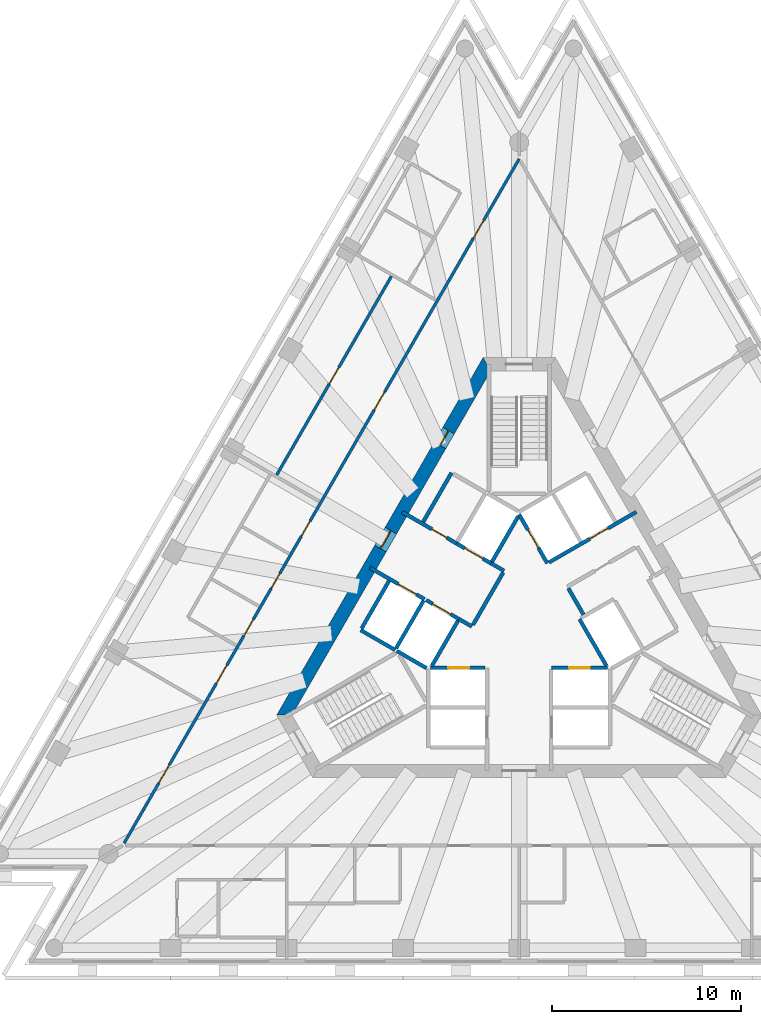
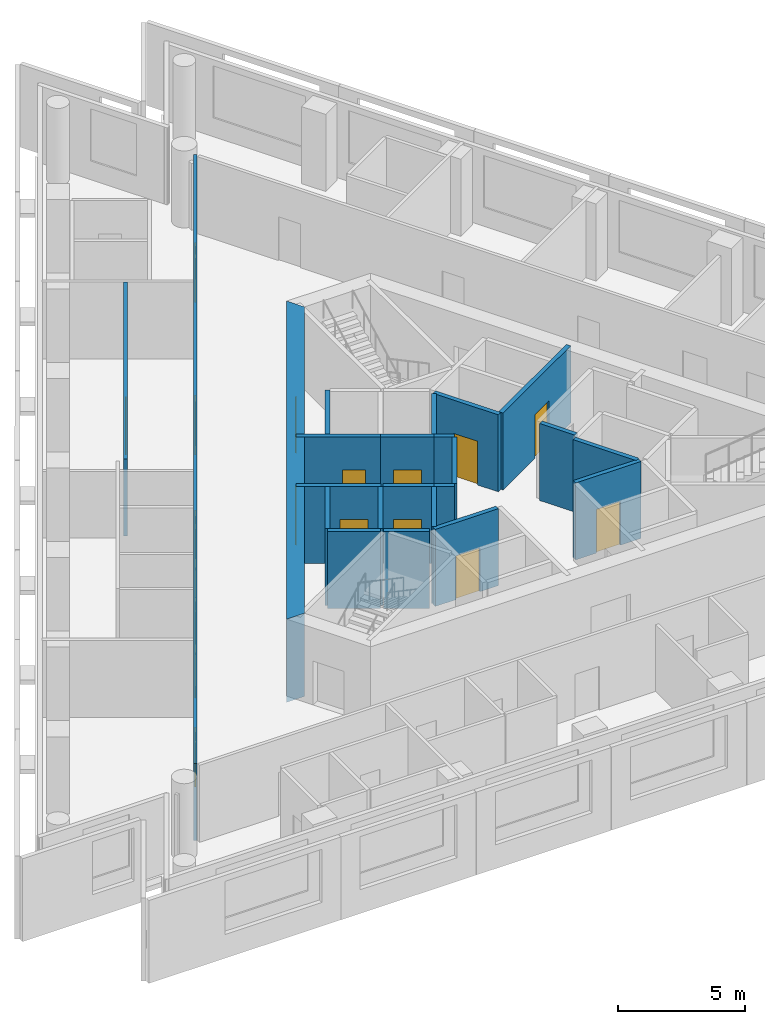
# One storey, part 4 of 9: 23 walls, 18 doors, 18 openings.
"""IFC4 building model written with IfcOpenShell, lengths in metres."""

from ifc_helpers import new_model, si_unit, direction, frame, frame_2d, origin, place, context, subcontext, project, spatial, polyline, rectangle, outline, extrude, material, layer, layer_set, type_object, element, fill, save


model = new_model("IFC4")

# Units and contexts
model_context = context("Model", 3, precision=1e-05, world=origin(), true_north=direction((0.0, 1.0)))
body_context = subcontext(model_context, "Body", "Model", "MODEL_VIEW")
ifc_project = project(units=[si_unit("LENGTHUNIT", "METRE"), si_unit("AREAUNIT", "SQUARE_METRE"), si_unit("VOLUMEUNIT", "CUBIC_METRE"), si_unit("PLANEANGLEUNIT", "RADIAN"), si_unit("MASSUNIT", "GRAM", prefix="KILO")], contexts=[model_context])

# Site, building, storey
site_placement = place(None, origin())
site = spatial("IfcSite", under=ifc_project, at=site_placement, CompositionType="ELEMENT")
building_placement = place(site_placement, origin())
building = spatial("IfcBuilding", under=site, at=building_placement, Name="Triada Interchange Tower", CompositionType="ELEMENT")
storey_placement = place(building_placement, frame((0.0, 0.0, 207.300048828125)))
storey = spatial("IfcBuildingStorey", under=building, at=storey_placement, Name="L48", CompositionType="ELEMENT", Elevation=207.300048828125)

# Walls
ifc_material_1 = material(Name="Concrete C30/37", Category="concrete")
ifc_layer_1 = layer(ifc_material_1, 0.199951171875)
ifc_layer_set_1 = layer_set([ifc_layer_1], Name="CORE WALL 200 EI 120")
wall_type_1 = type_object("IfcWallType", Name="CORE WALL 200 EI 120", PredefinedType="SOLIDWALL", material=ifc_layer_set_1)
wall_1_placement = place(storey_placement, frame((-8.3759765625, -0.70703125, 0.0), z_axis=(0.0, 0.0, 1.0), x_axis=(0.866067520717, -0.499927044236, 0.0)))
element("IfcWall", 1, at=wall_1_placement, inside=storey, type_object=wall_type_1, Name="Wall L47 53", PredefinedType="SOLIDWALL", context=body_context, shape_type="SweptSolid", body=[
    extrude(rectangle(XDim=2.100341796875, YDim=0.199951171875, at=frame_2d((1.05029296875, 0.0))), origin(), (0.0, 0.0, 1.0), 3.699951171875),
])
wall_2_placement = place(storey_placement, frame((-8.325927734375, -0.6201171875, 0.0), z_axis=(0.0, 0.0, 1.0), x_axis=(0.500023687443, 0.866011727401, 0.0)))
element("IfcWall", 2, at=wall_2_placement, inside=storey, type_object=wall_type_1, Name="Wall L47 54", PredefinedType="SOLIDWALL", context=body_context, shape_type="SweptSolid", body=[
    extrude(rectangle(XDim=2.899658203125, YDim=0.199951171875, at=frame_2d((1.44970703125, 0.0))), origin(), (0.0, 0.0, 1.0), 3.699951171875),
])

# Wall, opening, door
wall_3_placement = place(storey_placement, frame((-4.676025390625, -2.699951171875, 0.0), z_axis=(0.0, 0.0, 1.0), x_axis=(1.0, 0.0, 0.0)))
wall_3 = element("IfcWall", 3, at=wall_3_placement, inside=storey, type_object=wall_type_1, Name="Wall L47 61", PredefinedType="SOLIDWALL", context=body_context, shape_type="SweptSolid", body=[
    extrude(rectangle(XDim=2.873046875, YDim=0.199951171875, at=frame_2d((1.4365234375, 0.0))), origin(), (0.0, 0.0, 1.0), 3.699951171875),
])
opening_1_placement = place(wall_3_placement, frame((0.93701171875, 0.0, 0.0)))
opening_1 = element("IfcOpeningElement", 4, at=opening_1_placement, cuts=wall_3, Name="Opening LD-HR3", PredefinedType="OPENING", context=body_context, shape_type="SweptSolid", body=[
    extrude(rectangle(XDim=1.10009765625, YDim=2.10009765625, at=frame_2d((0.550048828125, 1.050048828125))), frame((0.0, 0.10986328125, 0.0), z_axis=(0.0, -1.0, 0.0), x_axis=(1.0, 0.0, 0.0)), (0.0, 0.0, 1.0), 0.219970703125),
])
ifc_material_2 = material(Name="Steel S235 door leaf", Category="steel")
door_type_1 = type_object("IfcDoorType", Name="LIFT LANDING DOOR 1100 EI 120", OperationType="SLIDING_TO_LEFT", PredefinedType="DOOR", material=ifc_material_2)
door_1_placement = place(opening_1_placement, origin())
door_1 = element("IfcDoor", 5, at=door_1_placement, inside=storey, type_object=door_type_1, Name="HR3 landing door L48", OperationType="SLIDING_TO_LEFT", OverallHeight=2.10009765625, OverallWidth=1.10009765625, PredefinedType="DOOR", context=body_context, shape_type="SweptSolid", body=[
    extrude(rectangle(XDim=1.10009765625, YDim=2.10009765625, at=frame_2d((0.550048828125, 1.050048828125))), frame((0.0, 0.02490234375, 0.0), z_axis=(0.0, -1.0, 0.0), x_axis=(1.0, 0.0, 0.0)), (0.0, 0.0, 1.0), 0.050048828125),
])
fill(opening_1, door_1)

wall_4_placement = place(storey_placement, frame((1.702880859375, -2.699951171875, 0.0), z_axis=(0.0, 0.0, 1.0), x_axis=(1.0, 0.0, 0.0)))
wall_4 = element("IfcWall", 6, at=wall_4_placement, inside=storey, type_object=wall_type_1, Name="Wall L47 62", PredefinedType="SOLIDWALL", context=body_context, shape_type="SweptSolid", body=[
    extrude(rectangle(XDim=2.97314453125, YDim=0.199951171875, at=frame_2d((1.486572265625, 0.0))), origin(), (0.0, 0.0, 1.0), 3.699951171875),
])
opening_2_placement = place(wall_4_placement, frame((0.93603515625, 0.0, 0.0)))
opening_2 = element("IfcOpeningElement", 7, at=opening_2_placement, cuts=wall_4, Name="Opening LD-HR1", PredefinedType="OPENING", context=body_context, shape_type="SweptSolid", body=[
    extrude(rectangle(XDim=1.10009765625, YDim=2.10009765625, at=frame_2d((0.550048828125, 1.050048828125))), frame((0.0, 0.10986328125, 0.0), z_axis=(0.0, -1.0, 0.0), x_axis=(1.0, 0.0, 0.0)), (0.0, 0.0, 1.0), 0.219970703125),
])
door_2_placement = place(opening_2_placement, origin())
door_2 = element("IfcDoor", 8, at=door_2_placement, inside=storey, type_object=door_type_1, Name="HR1 landing door L48", OperationType="SLIDING_TO_LEFT", OverallHeight=2.10009765625, OverallWidth=1.10009765625, PredefinedType="DOOR", context=body_context, shape_type="SweptSolid", body=[
    extrude(rectangle(XDim=1.10009765625, YDim=2.10009765625, at=frame_2d((0.550048828125, 1.050048828125))), frame((0.0, 0.02490234375, 0.0), z_axis=(0.0, -1.0, 0.0), x_axis=(1.0, 0.0, 0.0)), (0.0, 0.0, 1.0), 0.050048828125),
])
fill(opening_2, door_2)

wall_5_placement = place(storey_placement, frame((0.0, 5.39990234375, 0.0), z_axis=(0.0, 0.0, 1.0), x_axis=(0.500103862429, -0.865965430478, 0.0)))
wall_5 = element("IfcWall", 9, at=wall_5_placement, inside=storey, type_object=wall_type_1, Name="Wall L47 64", PredefinedType="SOLIDWALL", context=body_context, shape_type="SweptSolid", body=[
    extrude(rectangle(XDim=2.973388671875, YDim=0.199951171875, at=frame_2d((1.48681640625, 0.0))), origin(), (0.0, 0.0, 1.0), 3.699951171875),
])
opening_3_placement = place(wall_5_placement, frame((0.93701171875, 0.0, 0.0)))
opening_3 = element("IfcOpeningElement", 10, at=opening_3_placement, cuts=wall_5, Name="Opening LD-HR5", PredefinedType="OPENING", context=body_context, shape_type="SweptSolid", body=[
    extrude(rectangle(XDim=1.10009765625, YDim=2.10009765625, at=frame_2d((0.550048828125, 1.050048828125))), frame((0.0, 0.10986328125, 0.0), z_axis=(0.0, -1.0, 0.0), x_axis=(1.0, 0.0, 0.0)), (0.0, 0.0, 1.0), 0.219970703125),
])
door_3_placement = place(opening_3_placement, origin())
door_3 = element("IfcDoor", 11, at=door_3_placement, inside=storey, type_object=door_type_1, Name="HR5 landing door L48", OperationType="SLIDING_TO_LEFT", OverallHeight=2.10009765625, OverallWidth=1.10009765625, PredefinedType="DOOR", context=body_context, shape_type="SweptSolid", body=[
    extrude(rectangle(XDim=1.10009765625, YDim=2.10009765625, at=frame_2d((0.550048828125, 1.050048828125))), frame((0.0, 0.02490234375, 0.0), z_axis=(0.0, -1.0, 0.0), x_axis=(1.0, 0.0, 0.0)), (0.0, 0.0, 1.0), 0.050048828125),
])
fill(opening_3, door_3)

# Wall
wall_6_placement = place(storey_placement, frame((3.18994140625, -0.125, 0.0), z_axis=(0.0, 0.0, 1.0), x_axis=(0.499988658015, -0.866031951983, 0.0)))
element("IfcWall", 12, at=wall_6_placement, inside=storey, type_object=wall_type_1, Name="Wall L47 65", PredefinedType="SOLIDWALL", context=body_context, shape_type="SweptSolid", body=[
    extrude(rectangle(XDim=2.85791015625, YDim=0.199951171875, at=frame_2d((1.428955078125, 0.0))), origin(), (0.0, 0.0, 1.0), 3.699951171875),
])

# Wall, opening, door
wall_7_placement = place(storey_placement, frame((1.577880859375, 2.8740234375, 0.0), z_axis=(0.0, 0.0, 1.0), x_axis=(0.866045911672, 0.499964477614, 0.0)))
wall_7 = element("IfcWall", 13, at=wall_7_placement, inside=storey, type_object=wall_type_1, Name="Wall L47 66", PredefinedType="SOLIDWALL", context=body_context, shape_type="SweptSolid", body=[
    extrude(rectangle(XDim=5.32666015625, YDim=0.199951171875, at=frame_2d((2.663330078125, 0.0))), origin(), (0.0, 0.0, 1.0), 3.699951171875),
])
opening_4_placement = place(wall_7_placement, frame((2.49609375, 0.0, 0.0)))
opening_4 = element("IfcOpeningElement", 14, at=opening_4_placement, cuts=wall_7, Name="Opening LD-HR6", PredefinedType="OPENING", context=body_context, shape_type="SweptSolid", body=[
    extrude(rectangle(XDim=1.10009765625, YDim=2.10009765625, at=frame_2d((0.550048828125, 1.050048828125))), frame((0.0, 0.10986328125, 0.0), z_axis=(0.0, -1.0, 0.0), x_axis=(1.0, 0.0, 0.0)), (0.0, 0.0, 1.0), 0.219970703125),
])
door_4_placement = place(opening_4_placement, origin())
door_4 = element("IfcDoor", 15, at=door_4_placement, inside=storey, type_object=door_type_1, Name="HR6 landing door L48", OperationType="SLIDING_TO_LEFT", OverallHeight=2.10009765625, OverallWidth=1.10009765625, PredefinedType="DOOR", context=body_context, shape_type="SweptSolid", body=[
    extrude(rectangle(XDim=1.10009765625, YDim=2.10009765625, at=frame_2d((0.550048828125, 1.050048828125))), frame((0.0, 0.02490234375, 0.0), z_axis=(0.0, -1.0, 0.0), x_axis=(1.0, 0.0, 0.0)), (0.0, 0.0, 1.0), 0.050048828125),
])
fill(opening_4, door_4)

# Wall
wall_8_placement = place(storey_placement, frame((2.597900390625, 1.5, 0.0), z_axis=(0.0, 0.0, 1.0), x_axis=(0.499929347863, -0.866066190972, 0.0)))
element("IfcWall", 16, at=wall_8_placement, inside=storey, type_object=wall_type_1, Name="Wall L47 77", PredefinedType="SOLIDWALL", context=body_context, shape_type="SweptSolid", body=[
    extrude(rectangle(XDim=1.600341796875, YDim=0.199951171875, at=frame_2d((0.80029296875, 0.0))), origin(), (0.0, 0.0, 1.0), 3.699951171875),
])

# Wall, opening, door
ifc_layer_2 = layer(ifc_material_1, 0.199951171875)
ifc_layer_set_2 = layer_set([ifc_layer_2], Name="CORE WALL 200 EI 180")
wall_type_2 = type_object("IfcWallType", Name="CORE WALL 200 EI 180", PredefinedType="SOLIDWALL", material=ifc_layer_set_2)
wall_9_placement = place(storey_placement, frame((-7.89111328125, 2.593017578125, 0.0), z_axis=(0.0, 0.0, 1.0), x_axis=(0.866070917804, -0.499921159118, 0.0)))
wall_9 = element("IfcWall", 17, at=wall_9_placement, inside=storey, type_object=wall_type_2, Name="Wall L47 78", PredefinedType="SOLIDWALL", context=body_context, shape_type="SweptSolid", body=[
    extrude(rectangle(XDim=3.33251953125, YDim=0.199951171875, at=frame_2d((1.666259765625, 0.0))), origin(), (0.0, 0.0, 1.0), 3.699951171875),
])
opening_5_placement = place(wall_9_placement, frame((1.72998046875, 0.0, 0.0)))
opening_5 = element("IfcOpeningElement", 18, at=opening_5_placement, cuts=wall_9, Name="Opening LD-SV1", PredefinedType="OPENING", context=body_context, shape_type="SweptSolid", body=[
    extrude(rectangle(XDim=1.10009765625, YDim=2.10009765625, at=frame_2d((0.550048828125, 1.050048828125))), frame((0.0, 0.10986328125, 0.0), z_axis=(0.0, -1.0, 0.0), x_axis=(1.0, 0.0, 0.0)), (0.0, 0.0, 1.0), 0.219970703125),
])
door_5_placement = place(opening_5_placement, origin())
door_5 = element("IfcDoor", 19, at=door_5_placement, inside=storey, type_object=door_type_1, Name="SV1 landing door L48", OperationType="SLIDING_TO_LEFT", OverallHeight=2.10009765625, OverallWidth=1.10009765625, PredefinedType="DOOR", context=body_context, shape_type="SweptSolid", body=[
    extrude(rectangle(XDim=1.10009765625, YDim=2.10009765625, at=frame_2d((0.550048828125, 1.050048828125))), frame((0.0, 0.02490234375, 0.0), z_axis=(0.0, -1.0, 0.0), x_axis=(1.0, 0.0, 0.0)), (0.0, 0.0, 1.0), 0.050048828125),
])
fill(opening_5, door_5)

# Wall
wall_10_placement = place(storey_placement, frame((-3.18798828125, -0.1220703125, 0.0), z_axis=(0.0, 0.0, 1.0), x_axis=(0.865705793592, -0.50055317294, 0.0)))
element("IfcWall", 20, at=wall_10_placement, inside=storey, type_object=wall_type_2, Name="Wall L47 79", PredefinedType="SOLIDWALL", context=body_context, shape_type="SweptSolid", body=[
    extrude(rectangle(XDim=0.796875, YDim=0.199951171875, at=frame_2d((0.3984375, 0.0))), origin(), (0.0, 0.0, 1.0), 3.699951171875),
])

# Wall, opening, door
wall_11_placement = place(storey_placement, frame((-6.19091796875, 5.537109375, 0.0), z_axis=(0.0, 0.0, 1.0), x_axis=(0.866052607023, -0.499952879648, 0.0)))
wall_11 = element("IfcWall", 21, at=wall_11_placement, inside=storey, type_object=wall_type_2, Name="Wall L47 80", PredefinedType="SOLIDWALL", context=body_context, shape_type="SweptSolid", body=[
    extrude(rectangle(XDim=3.332275390625, YDim=0.199951171875, at=frame_2d((1.666015625, 0.0))), origin(), (0.0, 0.0, 1.0), 3.699951171875),
])
opening_6_placement = place(wall_11_placement, frame((1.830078125, 0.0, 0.0)))
opening_6 = element("IfcOpeningElement", 22, at=opening_6_placement, cuts=wall_11, Name="Opening D47-10", PredefinedType="OPENING", context=body_context, shape_type="SweptSolid", body=[
    extrude(rectangle(XDim=0.89990234375, YDim=2.10009765625, at=frame_2d((0.449951171875, 1.050048828125))), frame((0.0, 0.10986328125, 0.0), z_axis=(0.0, -1.0, 0.0), x_axis=(1.0, 0.0, 0.0)), (0.0, 0.0, 1.0), 0.219970703125),
])
door_type_2 = type_object("IfcDoorType", Name="SERVICE DOOR 900 EI2 90-C5S200", OperationType="NOTDEFINED", PredefinedType="DOOR", material=ifc_material_2)
door_6_placement = place(opening_6_placement, origin())
door_6 = element("IfcDoor", 23, at=door_6_placement, inside=storey, type_object=door_type_2, Name="Door D47-10 L48", OperationType="SINGLE_SWING_LEFT", OverallHeight=2.10009765625, OverallWidth=0.89990234375, PredefinedType="DOOR", context=body_context, shape_type="SweptSolid", body=[
    extrude(rectangle(XDim=0.89990234375, YDim=2.10009765625, at=frame_2d((0.449951171875, 1.050048828125))), frame((0.0, 0.02490234375, 0.0), z_axis=(0.0, -1.0, 0.0), x_axis=(1.0, 0.0, 0.0)), (0.0, 0.0, 1.0), 0.050048828125),
])
fill(opening_6, door_6)

# Walls
wall_12_placement = place(storey_placement, frame((-1.488037109375, 2.822021484375, 0.0), z_axis=(0.0, 0.0, 1.0), x_axis=(0.866236612152, -0.499633997809, 0.0)))
element("IfcWall", 24, at=wall_12_placement, inside=storey, type_object=wall_type_2, Name="Wall L47 81", PredefinedType="SOLIDWALL", context=body_context, shape_type="SweptSolid", body=[
    extrude(rectangle(XDim=0.79638671875, YDim=0.199951171875, at=frame_2d((0.398193359375, 0.0))), origin(), (0.0, 0.0, 1.0), 3.699951171875),
])
wall_13_placement = place(storey_placement, frame((-5.075927734375, 5.009033203125, 0.0), z_axis=(0.0, 0.0, 1.0), x_axis=(0.50002537861, 0.866010750942, 0.0)))
element("IfcWall", 25, at=wall_13_placement, inside=storey, type_object=wall_type_2, Name="Wall L47 82", PredefinedType="SOLIDWALL", context=body_context, shape_type="SweptSolid", body=[
    extrude(rectangle(XDim=2.999755859375, YDim=0.199951171875, at=frame_2d((1.5, 0.0))), origin(), (0.0, 0.0, 1.0), 3.699951171875),
])
wall_14_placement = place(storey_placement, frame((-2.444091796875, -0.43310546875, 0.0), z_axis=(0.0, 0.0, 1.0), x_axis=(0.500035624827, 0.866004834804, 0.0)))
element("IfcWall", 26, at=wall_14_placement, inside=storey, type_object=wall_type_2, Name="Wall L47 84", PredefinedType="SOLIDWALL", context=body_context, shape_type="SweptSolid", body=[
    extrude(rectangle(XDim=3.194091796875, YDim=0.199951171875, at=frame_2d((1.59716796875, 0.0))), origin(), (0.0, 0.0, 1.0), 3.699951171875),
])
wall_15_placement = place(storey_placement, frame((-6.507080078125, -1.669921875, 0.0), z_axis=(0.0, 0.0, 1.0), x_axis=(0.50012328804, 0.865954211699, 0.0)))
element("IfcWall", 27, at=wall_15_placement, inside=storey, type_object=wall_type_2, Name="Shaft wall FF1 L47 85", PredefinedType="SOLIDWALL", context=body_context, shape_type="SweptSolid", body=[
    extrude(rectangle(XDim=2.899658203125, YDim=0.199951171875, at=frame_2d((1.44970703125, 0.0))), origin(), (0.0, 0.0, 1.0), 3.699951171875),
])
wall_16_placement = place(storey_placement, frame((-6.469970703125, -1.806884765625, 0.0), z_axis=(0.0, 0.0, 1.0), x_axis=(0.865883195159, -0.500246231712, 0.0)))
element("IfcWall", 28, at=wall_16_placement, inside=storey, type_object=wall_type_2, Name="Shaft wall FF1 L47 86", PredefinedType="SOLIDWALL", context=body_context, shape_type="SweptSolid", body=[
    extrude(rectangle(XDim=1.8154296875, YDim=0.199951171875, at=frame_2d((0.90771484375, 0.0))), origin(), (0.0, 0.0, 1.0), 3.699951171875),
])

# Wall, opening, door
wall_17_placement = place(storey_placement, frame((-4.922119140625, 0.87890625, 0.0), z_axis=(0.0, 0.0, 1.0), x_axis=(0.866073918653, -0.499915960366, 0.0)))
wall_17 = element("IfcWall", 29, at=wall_17_placement, inside=storey, type_object=wall_type_2, Name="Shaft wall FF1 L47 87", PredefinedType="SOLIDWALL", context=body_context, shape_type="SweptSolid", body=[
    extrude(rectangle(XDim=2.002197265625, YDim=0.199951171875, at=frame_2d((1.0009765625, 0.0))), origin(), (0.0, 0.0, 1.0), 3.699951171875),
])
opening_7_placement = place(wall_17_placement, frame((0.402099609375, 0.0, 0.0)))
opening_7 = element("IfcOpeningElement", 30, at=opening_7_placement, cuts=wall_17, Name="Opening LD-FF1", PredefinedType="OPENING", context=body_context, shape_type="SweptSolid", body=[
    extrude(rectangle(XDim=1.10009765625, YDim=2.10009765625, at=frame_2d((0.550048828125, 1.050048828125))), frame((0.0, 0.10986328125, 0.0), z_axis=(0.0, -1.0, 0.0), x_axis=(1.0, 0.0, 0.0)), (0.0, 0.0, 1.0), 0.219970703125),
])
door_7_placement = place(opening_7_placement, origin())
door_7 = element("IfcDoor", 31, at=door_7_placement, inside=storey, type_object=door_type_1, Name="FF1 landing door L48", OperationType="SLIDING_TO_LEFT", OverallHeight=2.10009765625, OverallWidth=1.10009765625, PredefinedType="DOOR", context=body_context, shape_type="SweptSolid", body=[
    extrude(rectangle(XDim=1.10009765625, YDim=2.10009765625, at=frame_2d((0.550048828125, 1.050048828125))), frame((0.0, 0.02490234375, 0.0), z_axis=(0.0, -1.0, 0.0), x_axis=(1.0, 0.0, 0.0)), (0.0, 0.0, 1.0), 0.050048828125),
])
fill(opening_7, door_7)

# Wall
wall_18_placement = place(storey_placement, frame((-4.618896484375, -2.60009765625, 0.0), z_axis=(0.0, 0.0, 1.0), x_axis=(0.50009492287, 0.865970593103, 0.0)))
element("IfcWall", 32, at=wall_18_placement, inside=storey, type_object=wall_type_2, Name="Shaft wall FF1 L47 88", PredefinedType="SOLIDWALL", context=body_context, shape_type="SweptSolid", body=[
    extrude(rectangle(XDim=2.76123046875, YDim=0.199951171875, at=frame_2d((1.380615234375, 0.0))), origin(), (0.0, 0.0, 1.0), 3.699951171875),
])

# Wall, opening, door
wall_19_placement = place(storey_placement, frame((-3.30908203125, 3.873046875, 0.0), z_axis=(0.0, 0.0, 1.0), x_axis=(0.866098583652, -0.499873227325, 0.0)))
wall_19 = element("IfcWall", 33, at=wall_19_placement, inside=storey, type_object=wall_type_2, Name="Shaft wall FF2 L47 89", PredefinedType="SOLIDWALL", context=body_context, shape_type="SweptSolid", body=[
    extrude(rectangle(XDim=2.1025390625, YDim=0.199951171875, at=frame_2d((1.05126953125, 0.0))), origin(), (0.0, 0.0, 1.0), 3.699951171875),
])
opening_8_placement = place(wall_19_placement, frame((0.501953125, 0.0, 0.0)))
opening_8 = element("IfcOpeningElement", 34, at=opening_8_placement, cuts=wall_19, Name="Opening LD-FF2", PredefinedType="OPENING", context=body_context, shape_type="SweptSolid", body=[
    extrude(rectangle(XDim=1.10009765625, YDim=2.10009765625, at=frame_2d((0.550048828125, 1.050048828125))), frame((0.0, 0.10986328125, 0.0), z_axis=(0.0, -1.0, 0.0), x_axis=(1.0, 0.0, 0.0)), (0.0, 0.0, 1.0), 0.219970703125),
])
door_8_placement = place(opening_8_placement, origin())
door_8 = element("IfcDoor", 35, at=door_8_placement, inside=storey, type_object=door_type_1, Name="FF2 landing door L48", OperationType="SLIDING_TO_LEFT", OverallHeight=2.10009765625, OverallWidth=1.10009765625, PredefinedType="DOOR", context=body_context, shape_type="SweptSolid", body=[
    extrude(rectangle(XDim=1.10009765625, YDim=2.10009765625, at=frame_2d((0.550048828125, 1.050048828125))), frame((0.0, 0.02490234375, 0.0), z_axis=(0.0, -1.0, 0.0), x_axis=(1.0, 0.0, 0.0)), (0.0, 0.0, 1.0), 0.050048828125),
])
fill(opening_8, door_8)

# Wall
wall_20_placement = place(storey_placement, frame((-1.43798828125, 2.908935546875, 0.0), z_axis=(0.0, 0.0, 1.0), x_axis=(0.499829630636, 0.866123744241, 0.0)))
element("IfcWall", 36, at=wall_20_placement, inside=storey, type_object=wall_type_2, Name="Shaft wall FF2 L47 92", PredefinedType="SOLIDWALL", context=body_context, shape_type="SweptSolid", body=[
    extrude(rectangle(XDim=2.7607421875, YDim=0.199951171875, at=frame_2d((1.38037109375, 0.0))), origin(), (0.0, 0.0, 1.0), 3.699951171875),
])

# Wall, openings, doors
ifc_material_3 = material(Name="Concrete C50/60", Category="concrete")
ifc_layer_3 = layer(ifc_material_3, 0.699951171875)
ifc_layer_set_3 = layer_set([ifc_layer_3], Name="Core wall C 700")
wall_type_3 = type_object("IfcWallType", Name="Core wall C 700", PredefinedType="SHEAR", material=ifc_layer_set_3)
wall_21_placement = place(storey_placement, frame((-1.702880859375, 13.35009765625, -0.300048828125), z_axis=(0.0, 0.0, 1.0), x_axis=(-0.500011533395, -0.866018744874, 0.0)))
wall_21 = element("IfcWall", 37, at=wall_21_placement, inside=storey, type_object=wall_type_3, Name="Core wall WC02 L48", PredefinedType="SHEAR", context=body_context, shape_type="SweptSolid", body=[
    extrude(outline(polyline([(-0.201904296875, -0.35009765625), (1.781982421875, -0.35009765625), (3.76611328125, -0.35009765625), (5.75, -0.35009765625), (7.734130859375, -0.35009765625), (9.718017578125, -0.35009765625), (11.7021484375, -0.35009765625), (13.68603515625, -0.35009765625), (15.670166015625, -0.35009765625), (17.654052734375, -0.35009765625), (19.63818359375, -0.35009765625), (21.6220703125, -0.35009765625), (21.218017578125, 0.35009765625), (19.307373046875, 0.35009765625), (17.39697265625, 0.35009765625), (15.486328125, 0.35009765625), (13.57568359375, 0.35009765625), (11.665283203125, 0.35009765625), (9.754638671875, 0.35009765625), (7.84423828125, 0.35009765625), (5.93359375, 0.35009765625), (4.02294921875, 0.35009765625), (2.112548828125, 0.35009765625), (0.201904296875, 0.35009765625), (-0.201904296875, -0.35009765625)])), origin(), (0.0, 0.0, 1.0), 4.0),
])
opening_9_placement = place(wall_21_placement, frame((10.159912109375, 0.0, 0.300048828125)))
opening_9 = element("IfcOpeningElement", 38, at=opening_9_placement, cuts=wall_21, Name="Opening D47-47", PredefinedType="OPENING", context=body_context, shape_type="SweptSolid", body=[
    extrude(rectangle(XDim=1.10009765625, YDim=2.10009765625, at=frame_2d((0.550048828125, 1.050048828125))), frame((0.0, 0.360107421875, 0.0), z_axis=(0.0, -1.0, 0.0), x_axis=(1.0, 0.0, 0.0)), (0.0, 0.0, 1.0), 0.72021484375),
])
opening_10_placement = place(wall_21_placement, frame((4.054931640625, 0.0, 0.300048828125)))
opening_10 = element("IfcOpeningElement", 39, at=opening_10_placement, cuts=wall_21, Name="Opening D47-49", PredefinedType="OPENING", context=body_context, shape_type="SweptSolid", body=[
    extrude(rectangle(XDim=0.89990234375, YDim=2.10009765625, at=frame_2d((0.449951171875, 1.050048828125))), frame((0.0, 0.360107421875, 0.0), z_axis=(0.0, -1.0, 0.0), x_axis=(1.0, 0.0, 0.0)), (0.0, 0.0, 1.0), 0.72021484375),
])
door_type_3 = type_object("IfcDoorType", Name="FIRE LOBBY DOOR 1100 EI2 90-C5S200", OperationType="NOTDEFINED", PredefinedType="DOOR", material=ifc_material_2)
door_9_placement = place(opening_9_placement, origin())
door_9 = element("IfcDoor", 40, at=door_9_placement, inside=storey, type_object=door_type_3, Name="Door D47-47 L48", OperationType="SINGLE_SWING_RIGHT", OverallHeight=2.10009765625, OverallWidth=1.10009765625, PredefinedType="DOOR", context=body_context, shape_type="SweptSolid", body=[
    extrude(rectangle(XDim=1.10009765625, YDim=2.10009765625, at=frame_2d((0.550048828125, 1.050048828125))), frame((0.0, 0.02490234375, 0.0), z_axis=(0.0, -1.0, 0.0), x_axis=(1.0, 0.0, 0.0)), (0.0, 0.0, 1.0), 0.050048828125),
])
fill(opening_9, door_9)
door_type_4 = type_object("IfcDoorType", Name="SERVICE DOOR 900 EI2 45-C5S200", OperationType="NOTDEFINED", PredefinedType="DOOR", material=ifc_material_2)
door_10_placement = place(opening_10_placement, origin())
door_10 = element("IfcDoor", 41, at=door_10_placement, inside=storey, type_object=door_type_4, Name="Door D47-49 L48", OperationType="SINGLE_SWING_RIGHT", OverallHeight=2.10009765625, OverallWidth=0.89990234375, PredefinedType="DOOR", context=body_context, shape_type="SweptSolid", body=[
    extrude(rectangle(XDim=0.89990234375, YDim=2.10009765625, at=frame_2d((0.449951171875, 1.050048828125))), frame((0.0, 0.02490234375, 0.0), z_axis=(0.0, -1.0, 0.0), x_axis=(1.0, 0.0, 0.0)), (0.0, 0.0, 1.0), 0.050048828125),
])
fill(opening_10, door_10)

ifc_material_4 = material(Name="Gypsum board partition")
ifc_layer_4 = layer(ifc_material_4, 0.14990234375)
ifc_layer_set_4 = layer_set([ifc_layer_4], Name="PARTITION 150 EI 180")
wall_type_4 = type_object("IfcWallType", Name="PARTITION 150 EI 180", PredefinedType="PARTITIONING", material=ifc_layer_set_4)
wall_22_placement = place(storey_placement, frame((-20.883056640625, -11.969970703125, 0.0), z_axis=(0.0, 0.0, 1.0), x_axis=(0.500006150555, 0.866021852731, 0.0)))
wall_22 = element("IfcWall", 42, at=wall_22_placement, inside=storey, type_object=wall_type_4, Name="Wall L47 4", PredefinedType="PARTITIONING", context=body_context, shape_type="SweptSolid", body=[
    extrude(rectangle(XDim=41.765625, YDim=0.14990234375, at=frame_2d((20.8828125, 0.0))), origin(), (0.0, 0.0, 1.0), 3.699951171875),
])
opening_11_placement = place(wall_22_placement, frame((36.916015625, 0.0, 0.0)))
opening_11 = element("IfcOpeningElement", 43, at=opening_11_placement, cuts=wall_22, Name="Opening D47-33", PredefinedType="OPENING", context=body_context, shape_type="SweptSolid", body=[
    extrude(rectangle(XDim=1.10009765625, YDim=2.10009765625, at=frame_2d((0.550048828125, 1.050048828125))), frame((0.0, 0.0849609375, 0.0), z_axis=(0.0, -1.0, 0.0), x_axis=(1.0, 0.0, 0.0)), (0.0, 0.0, 1.0), 0.169921875),
])
opening_12_placement = place(wall_22_placement, frame((26.446044921875, 0.0, 0.0)))
opening_12 = element("IfcOpeningElement", 44, at=opening_12_placement, cuts=wall_22, Name="Opening D47-36", PredefinedType="OPENING", context=body_context, shape_type="SweptSolid", body=[
    extrude(rectangle(XDim=1.10009765625, YDim=2.10009765625, at=frame_2d((0.550048828125, 1.050048828125))), frame((0.0, 0.0849609375, 0.0), z_axis=(0.0, -1.0, 0.0), x_axis=(1.0, 0.0, 0.0)), (0.0, 0.0, 1.0), 0.169921875),
])
opening_13_placement = place(wall_22_placement, frame((9.757080078125, 0.0, 0.0)))
opening_13 = element("IfcOpeningElement", 45, at=opening_13_placement, cuts=wall_22, Name="Opening D47-38", PredefinedType="OPENING", context=body_context, shape_type="SweptSolid", body=[
    extrude(rectangle(XDim=1.10009765625, YDim=2.10009765625, at=frame_2d((0.550048828125, 1.050048828125))), frame((0.0, 0.0849609375, 0.0), z_axis=(0.0, -1.0, 0.0), x_axis=(1.0, 0.0, 0.0)), (0.0, 0.0, 1.0), 0.169921875),
])
opening_14_placement = place(wall_22_placement, frame((18.757080078125, 0.0, 0.0)))
opening_14 = element("IfcOpeningElement", 46, at=opening_14_placement, cuts=wall_22, Name="Opening D47-39", PredefinedType="OPENING", context=body_context, shape_type="SweptSolid", body=[
    extrude(rectangle(XDim=0.89990234375, YDim=2.10009765625, at=frame_2d((0.449951171875, 1.050048828125))), frame((0.0, 0.0849609375, 0.0), z_axis=(0.0, -1.0, 0.0), x_axis=(1.0, 0.0, 0.0)), (0.0, 0.0, 1.0), 0.169921875),
])
opening_15_placement = place(wall_22_placement, frame((15.556884765625, 0.0, 0.0)))
opening_15 = element("IfcOpeningElement", 47, at=opening_15_placement, cuts=wall_22, Name="Opening D47-40", PredefinedType="OPENING", context=body_context, shape_type="SweptSolid", body=[
    extrude(rectangle(XDim=0.89990234375, YDim=2.10009765625, at=frame_2d((0.449951171875, 1.050048828125))), frame((0.0, 0.0849609375, 0.0), z_axis=(0.0, -1.0, 0.0), x_axis=(1.0, 0.0, 0.0)), (0.0, 0.0, 1.0), 0.169921875),
])
opening_16_placement = place(wall_22_placement, frame((12.656982421875, 0.0, 0.0)))
opening_16 = element("IfcOpeningElement", 48, at=opening_16_placement, cuts=wall_22, Name="Opening D47-41", PredefinedType="OPENING", context=body_context, shape_type="SweptSolid", body=[
    extrude(rectangle(XDim=1.0, YDim=2.10009765625, at=frame_2d((0.5, 1.050048828125))), frame((0.0, 0.0849609375, 0.0), z_axis=(0.0, -1.0, 0.0), x_axis=(1.0, 0.0, 0.0)), (0.0, 0.0, 1.0), 0.169921875),
])
opening_17_placement = place(wall_22_placement, frame((3.6689453125, 0.0, 0.0)))
opening_17 = element("IfcOpeningElement", 49, at=opening_17_placement, cuts=wall_22, Name="Opening D47-42", PredefinedType="OPENING", context=body_context, shape_type="SweptSolid", body=[
    extrude(rectangle(XDim=1.10009765625, YDim=2.10009765625, at=frame_2d((0.550048828125, 1.050048828125))), frame((0.0, 0.0849609375, 0.0), z_axis=(0.0, -1.0, 0.0), x_axis=(1.0, 0.0, 0.0)), (0.0, 0.0, 1.0), 0.169921875),
])
door_type_5 = type_object("IfcDoorType", Name="ROOM DOOR 1000 EI2 90-C5S200", OperationType="NOTDEFINED", PredefinedType="DOOR", material=ifc_material_2)
door_11_placement = place(opening_16_placement, origin())
door_11 = element("IfcDoor", 50, at=door_11_placement, inside=storey, type_object=door_type_5, Name="Door D47-41 L48", OperationType="SINGLE_SWING_RIGHT", OverallHeight=2.10009765625, OverallWidth=1.0, PredefinedType="DOOR", context=body_context, shape_type="SweptSolid", body=[
    extrude(rectangle(XDim=1.0, YDim=2.10009765625, at=frame_2d((0.5, 1.050048828125))), frame((0.0, 0.02490234375, 0.0), z_axis=(0.0, -1.0, 0.0), x_axis=(1.0, 0.0, 0.0)), (0.0, 0.0, 1.0), 0.050048828125),
])
fill(opening_16, door_11)
door_type_6 = type_object("IfcDoorType", Name="ROOM DOOR 900 EI2 90-C5S200", OperationType="NOTDEFINED", PredefinedType="DOOR", material=ifc_material_2)
door_12_placement = place(opening_14_placement, origin())
door_12 = element("IfcDoor", 51, at=door_12_placement, inside=storey, type_object=door_type_6, Name="Door D47-39 L48", OperationType="SINGLE_SWING_LEFT", OverallHeight=2.10009765625, OverallWidth=0.89990234375, PredefinedType="DOOR", context=body_context, shape_type="SweptSolid", body=[
    extrude(rectangle(XDim=0.89990234375, YDim=2.10009765625, at=frame_2d((0.449951171875, 1.050048828125))), frame((0.0, 0.02490234375, 0.0), z_axis=(0.0, -1.0, 0.0), x_axis=(1.0, 0.0, 0.0)), (0.0, 0.0, 1.0), 0.050048828125),
])
fill(opening_14, door_12)
door_13_placement = place(opening_15_placement, origin())
door_13 = element("IfcDoor", 52, at=door_13_placement, inside=storey, type_object=door_type_6, Name="Door D47-40 L48", OperationType="SINGLE_SWING_RIGHT", OverallHeight=2.10009765625, OverallWidth=0.89990234375, PredefinedType="DOOR", context=body_context, shape_type="SweptSolid", body=[
    extrude(rectangle(XDim=0.89990234375, YDim=2.10009765625, at=frame_2d((0.449951171875, 1.050048828125))), frame((0.0, 0.02490234375, 0.0), z_axis=(0.0, -1.0, 0.0), x_axis=(1.0, 0.0, 0.0)), (0.0, 0.0, 1.0), 0.050048828125),
])
fill(opening_15, door_13)
door_type_7 = type_object("IfcDoorType", Name="TENANCY ENTRANCE DOOR 1100 EI2 90-C5S200", OperationType="NOTDEFINED", PredefinedType="DOOR", material=ifc_material_2)
door_14_placement = place(opening_11_placement, origin())
door_14 = element("IfcDoor", 53, at=door_14_placement, inside=storey, type_object=door_type_7, Name="Door D47-33 L48", OperationType="SINGLE_SWING_RIGHT", OverallHeight=2.10009765625, OverallWidth=1.10009765625, PredefinedType="DOOR", context=body_context, shape_type="SweptSolid", body=[
    extrude(rectangle(XDim=1.10009765625, YDim=2.10009765625, at=frame_2d((0.550048828125, 1.050048828125))), frame((0.0, 0.02490234375, 0.0), z_axis=(0.0, -1.0, 0.0), x_axis=(1.0, 0.0, 0.0)), (0.0, 0.0, 1.0), 0.050048828125),
])
fill(opening_11, door_14)
door_15_placement = place(opening_12_placement, origin())
door_15 = element("IfcDoor", 54, at=door_15_placement, inside=storey, type_object=door_type_7, Name="Door D47-36 L48", OperationType="SINGLE_SWING_LEFT", OverallHeight=2.10009765625, OverallWidth=1.10009765625, PredefinedType="DOOR", context=body_context, shape_type="SweptSolid", body=[
    extrude(rectangle(XDim=1.10009765625, YDim=2.10009765625, at=frame_2d((0.550048828125, 1.050048828125))), frame((0.0, 0.02490234375, 0.0), z_axis=(0.0, -1.0, 0.0), x_axis=(1.0, 0.0, 0.0)), (0.0, 0.0, 1.0), 0.050048828125),
])
fill(opening_12, door_15)
door_16_placement = place(opening_13_placement, origin())
door_16 = element("IfcDoor", 55, at=door_16_placement, inside=storey, type_object=door_type_7, Name="Door D47-38 L48", OperationType="SINGLE_SWING_LEFT", OverallHeight=2.10009765625, OverallWidth=1.10009765625, PredefinedType="DOOR", context=body_context, shape_type="SweptSolid", body=[
    extrude(rectangle(XDim=1.10009765625, YDim=2.10009765625, at=frame_2d((0.550048828125, 1.050048828125))), frame((0.0, 0.02490234375, 0.0), z_axis=(0.0, -1.0, 0.0), x_axis=(1.0, 0.0, 0.0)), (0.0, 0.0, 1.0), 0.050048828125),
])
fill(opening_13, door_16)
door_17_placement = place(opening_17_placement, origin())
door_17 = element("IfcDoor", 56, at=door_17_placement, inside=storey, type_object=door_type_7, Name="Door D47-42 L48", OperationType="SINGLE_SWING_LEFT", OverallHeight=2.10009765625, OverallWidth=1.10009765625, PredefinedType="DOOR", context=body_context, shape_type="SweptSolid", body=[
    extrude(rectangle(XDim=1.10009765625, YDim=2.10009765625, at=frame_2d((0.550048828125, 1.050048828125))), frame((0.0, 0.02490234375, 0.0), z_axis=(0.0, -1.0, 0.0), x_axis=(1.0, 0.0, 0.0)), (0.0, 0.0, 1.0), 0.050048828125),
])
fill(opening_17, door_17)

# Wall, opening, door
ifc_layer_5 = layer(ifc_material_4, 0.14990234375)
ifc_layer_set_5 = layer_set([ifc_layer_5], Name="PARTITION 150 EI 90")
wall_type_5 = type_object("IfcWallType", Name="PARTITION 150 EI 90", PredefinedType="PARTITIONING", material=ifc_layer_set_5)
wall_23_placement = place(storey_placement, frame((-12.820068359375, 7.488037109375, 0.0), z_axis=(0.0, 0.0, 1.0), x_axis=(0.500060781096, 0.865990308958, 0.0)))
wall_23 = element("IfcWall", 57, at=wall_23_placement, inside=storey, type_object=wall_type_5, Name="Wall L47 38", PredefinedType="PARTITIONING", context=body_context, shape_type="SweptSolid", body=[
    extrude(rectangle(XDim=12.138671875, YDim=0.14990234375, at=frame_2d((6.0693359375, 0.0))), origin(), (0.0, 0.0, 1.0), 3.699951171875),
])
opening_18_placement = place(wall_23_placement, frame((5.56396484375, 0.0, 0.0)))
opening_18 = element("IfcOpeningElement", 58, at=opening_18_placement, cuts=wall_23, Name="Opening D47-37", PredefinedType="OPENING", context=body_context, shape_type="SweptSolid", body=[
    extrude(rectangle(XDim=1.0, YDim=2.10009765625, at=frame_2d((0.5, 1.050048828125))), frame((0.0, 0.0849609375, 0.0), z_axis=(0.0, -1.0, 0.0), x_axis=(1.0, 0.0, 0.0)), (0.0, 0.0, 1.0), 0.169921875),
])
door_type_8 = type_object("IfcDoorType", Name="ROOM DOOR 1000 EI2 45-C5S200", OperationType="NOTDEFINED", PredefinedType="DOOR", material=ifc_material_2)
door_18_placement = place(opening_18_placement, origin())
door_18 = element("IfcDoor", 59, at=door_18_placement, inside=storey, type_object=door_type_8, Name="Door D47-37 L48", OperationType="SINGLE_SWING_RIGHT", OverallHeight=2.10009765625, OverallWidth=1.0, PredefinedType="DOOR", context=body_context, shape_type="SweptSolid", body=[
    extrude(rectangle(XDim=1.0, YDim=2.10009765625, at=frame_2d((0.5, 1.050048828125))), frame((0.0, 0.02490234375, 0.0), z_axis=(0.0, -1.0, 0.0), x_axis=(1.0, 0.0, 0.0)), (0.0, 0.0, 1.0), 0.050048828125),
])
fill(opening_18, door_18)

save(model, "model.ifc")
